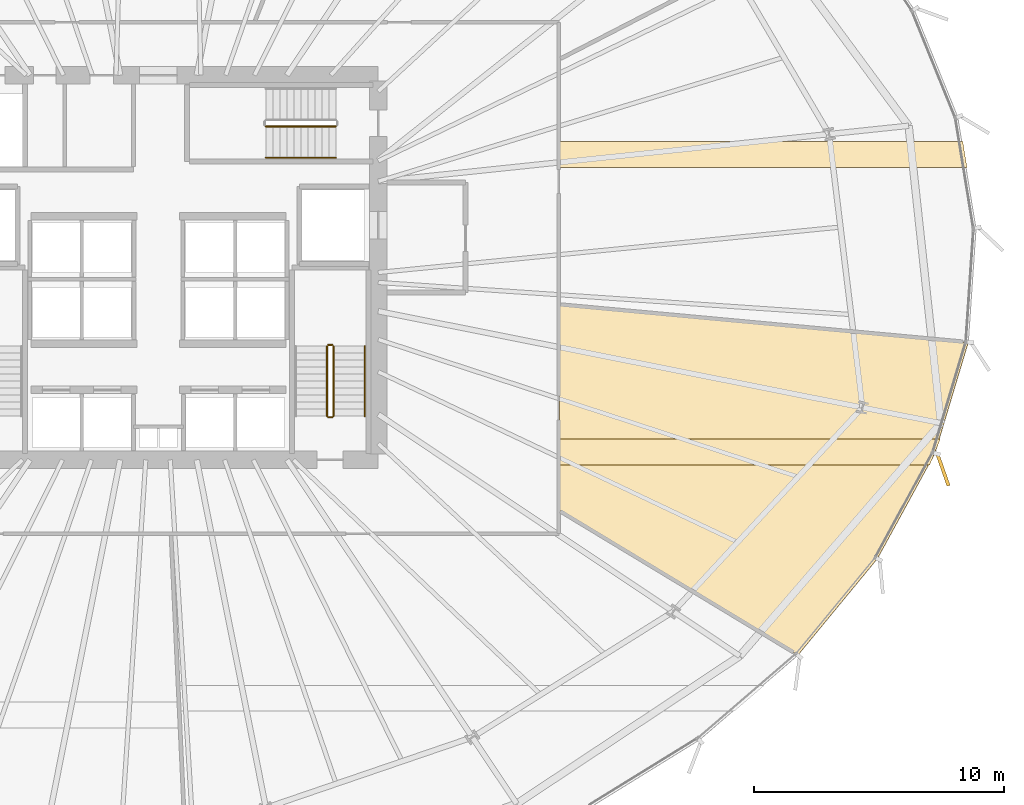
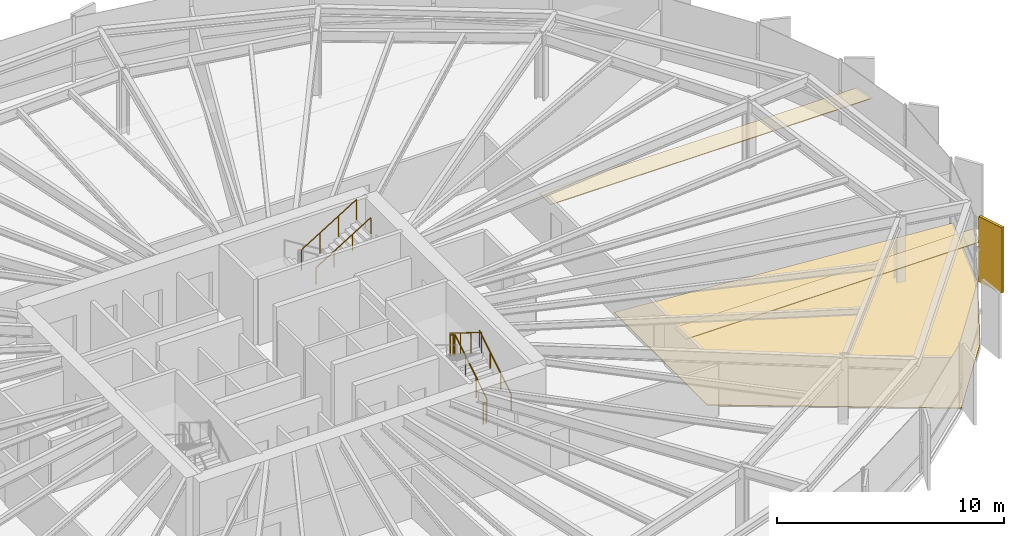
# One storey, part 36 of 39: 7 railings, 4 coverings.
"""IFC4 building model written with IfcOpenShell, lengths in metres."""

from ifc_helpers import new_model, si_unit, direction, frame, origin, origin_2d, place, context, subcontext, project, spatial, polyline, rectangle, circle, outline, extrude, source, transform, mapped, material, layer, layer_set, type_object, element, save


model = new_model("IFC4")

# Units and contexts
model_context = context("Model", 3, precision=1e-05, world=origin(), true_north=direction((0.0, 1.0)))
body_context = subcontext(model_context, "Body", "Model", "MODEL_VIEW")
ifc_project = project(units=[si_unit("LENGTHUNIT", "METRE"), si_unit("AREAUNIT", "SQUARE_METRE"), si_unit("VOLUMEUNIT", "CUBIC_METRE"), si_unit("PLANEANGLEUNIT", "RADIAN"), si_unit("MASSUNIT", "GRAM", prefix="KILO"), si_unit("THERMODYNAMICTEMPERATUREUNIT", "KELVIN")], contexts=[model_context])

# Site, building, storey
site_placement = place(None, origin())
site = spatial("IfcSite", under=ifc_project, at=site_placement, CompositionType="ELEMENT")
building_placement = place(site_placement, origin())
building = spatial("IfcBuilding", under=site, at=building_placement, Name="Kethvar Cultural Tower", CompositionType="ELEMENT")
storey_placement = place(building_placement, frame((0.0, 0.0, 41.0)))
storey = spatial("IfcBuildingStorey", under=building, at=storey_placement, Name="L09", CompositionType="ELEMENT", Elevation=41.0)

# Coverings
ifc_material_1 = material(Name="Acoustic Mineral Fibre Ceiling")
ifc_layer_1 = layer(ifc_material_1, 0.0400390625, Name="Acoustic Mineral Fibre Ceiling")
ifc_layer_set_1 = layer_set([ifc_layer_1], Name="Acoustic Mineral Fibre Ceiling (40 mm)")
covering_type_1 = type_object("IfcCoveringType", Name="CV-ACOUSTIC-CEIL", PredefinedType="CEILING", material=ifc_layer_set_1)
covering_1_placement = place(storey_placement, frame((0.0, 0.0, 2.449951171875)))
element("IfcCovering", 1, at=covering_1_placement, inside=storey, type_object=covering_type_1, Name="L09 Room 03 Acoustic Ceiling Panel", PredefinedType="CEILING", context=body_context, shape_type="SweptSolid", body=[
    extrude(outline(polyline([(78.10546875, 20.92333984375), (77.68408203125, 19.893310546875), (62.81005859375, 19.893310546875), (62.81005859375, 20.92333984375), (78.10546875, 20.92333984375)])), origin(), (0.0, 0.0, 1.0), 0.0400390625),
])
covering_2_placement = place(storey_placement, frame((0.0, 0.0, 2.449951171875)))
element("IfcCovering", 2, at=covering_2_placement, inside=storey, type_object=covering_type_1, Name="L09 Room 04 Acoustic Ceiling Panel", PredefinedType="CEILING", context=body_context, shape_type="SweptSolid", body=[
    extrude(outline(polyline([(79.175048828125, 31.813720703125), (62.81005859375, 31.813720703125), (62.81005859375, 32.84375), (79.006591796875, 32.84375), (79.175048828125, 31.813720703125)])), origin(), (0.0, 0.0, 1.0), 0.0400390625),
])
ifc_material_2 = material(Name="Honed Warm Limestone", Category="masonry")
ifc_layer_2 = layer(ifc_material_2, 0.030029296875, Name="Honed Warm Limestone", Category="masonry")
ifc_layer_set_2 = layer_set([ifc_layer_2], Name="Honed Warm Limestone (30 mm)")
covering_type_2 = type_object("IfcCoveringType", Name="CV-STONE-FLOOR", PredefinedType="FLOORING", material=ifc_layer_set_2)
covering_3_placement = place(storey_placement, origin())
element("IfcCovering", 3, at=covering_3_placement, inside=storey, type_object=covering_type_2, Name="L09 Room 03 Floor Finish", PredefinedType="FLOORING", context=body_context, shape_type="SweptSolid", body=[
    extrude(outline(polyline([(77.895751953125, 20.364501953125), (75.58984375, 16.1435546875), (72.413330078125, 12.287841796875), (62.85009765625, 18.08837890625), (62.85009765625, 26.29931640625), (79.22412109375, 24.78857421875), (77.895751953125, 20.364501953125)])), origin(), (0.0, 0.0, 1.0), 0.030029296875),
])

# Railings
ifc_material_3 = material(Name="Steel S355J2", Category="steel")
railing_type_1 = type_object("IfcRailingType", Name="RL-STAIR-GUARD", PredefinedType="BALUSTRADE", material=ifc_material_3)
railing_1_placement = place(storey_placement, frame((53.81005859375, 21.85009765625, 0.172607421875)))
element("IfcRailing", 4, at=railing_1_placement, inside=storey, type_object=railing_type_1, Name="L09 ST-02 stair guard 1", PredefinedType="BALUSTRADE", context=body_context, shape_type="SweptSolid", body=[
    extrude(circle(Radius=0.02392578125, at=origin_2d()), frame((0.0, 0.0, 1.09619140625), z_axis=(0.0, 0.851069175582, 0.525053576669), x_axis=(-1.0, 0.0, 0.0)), (0.0, 0.0, 1.0), 3.289794921875),
    extrude(circle(Radius=0.02099609375, at=origin_2d()), origin(), (0.0, 0.0, 1.0), 1.072021484375),
    extrude(circle(Radius=0.02099609375, at=origin_2d()), frame((0.0, 0.933349609375, 0.57568359375)), (0.0, 0.0, 1.0), 1.072021484375),
    extrude(circle(Radius=0.02099609375, at=origin_2d()), frame((0.0, 1.866455078125, 1.151611328125)), (0.0, 0.0, 1.0), 1.072021484375),
    extrude(circle(Radius=0.02099609375, at=origin_2d()), frame((0.0, 2.7998046875, 1.727294921875)), (0.0, 0.0, 1.0), 1.072021484375),
])
railing_2_placement = place(storey_placement, frame((53.760009765625, 24.699951171875, 1.89990234375)))
element("IfcRailing", 5, at=railing_2_placement, inside=storey, type_object=railing_type_1, Name="L09 ST-02 stair guard 2", PredefinedType="BALUSTRADE", context=body_context, shape_type="SweptSolid", body=[
    extrude(circle(Radius=0.02392578125, at=origin_2d()), frame((0.0, 0.0, 1.09619140625), z_axis=(-1.0, 0.0, 0.0), x_axis=(0.0, -1.0, 0.0)), (0.0, 0.0, 1.0), 0.159912109375),
    extrude(circle(Radius=0.02099609375, at=origin_2d()), origin(), (0.0, 0.0, 1.0), 1.072021484375),
    extrude(circle(Radius=0.02099609375, at=origin_2d()), frame((-0.159912109375, 0.0, 0.0)), (0.0, 0.0, 1.0), 1.072021484375),
])
railing_3_placement = place(storey_placement, frame((53.550048828125, 24.64990234375, 2.07275390625)))
element("IfcRailing", 6, at=railing_3_placement, inside=storey, type_object=railing_type_1, Name="L09 ST-02 stair guard 3", PredefinedType="BALUSTRADE", context=body_context, shape_type="SweptSolid", body=[
    extrude(circle(Radius=0.02392578125, at=origin_2d()), frame((0.0, 0.0, 1.09619140625), z_axis=(0.0, -0.851069175582, 0.525053576669), x_axis=(1.0, 0.0, 0.0)), (0.0, 0.0, 1.0), 3.289794921875),
    extrude(circle(Radius=0.02099609375, at=origin_2d()), origin(), (0.0, 0.0, 1.0), 1.072021484375),
    extrude(circle(Radius=0.02099609375, at=origin_2d()), frame((0.0, -0.933349609375, 0.57568359375)), (0.0, 0.0, 1.0), 1.072021484375),
    extrude(circle(Radius=0.02099609375, at=origin_2d()), frame((0.0, -1.866455078125, 1.151611328125)), (0.0, 0.0, 1.0), 1.072021484375),
    extrude(circle(Radius=0.02099609375, at=origin_2d()), frame((0.0, -2.7998046875, 1.727294921875)), (0.0, 0.0, 1.0), 1.072021484375),
])
railing_4_placement = place(storey_placement, frame((53.760009765625, 21.800048828125, 0.0)))
element("IfcRailing", 7, at=railing_4_placement, inside=storey, type_object=railing_type_1, Name="L09 ST-02 stair guard 4", PredefinedType="BALUSTRADE", context=body_context, shape_type="SweptSolid", body=[
    extrude(circle(Radius=0.02392578125, at=origin_2d()), frame((0.0, 0.0, 1.09619140625), z_axis=(-1.0, 0.0, 0.0), x_axis=(0.0, -1.0, 0.0)), (0.0, 0.0, 1.0), 0.159912109375),
    extrude(circle(Radius=0.02099609375, at=origin_2d()), origin(), (0.0, 0.0, 1.0), 1.072021484375),
    extrude(circle(Radius=0.02099609375, at=origin_2d()), frame((-0.159912109375, 0.0, 0.0)), (0.0, 0.0, 1.0), 1.072021484375),
])
railing_5_placement = place(storey_placement, frame((51.10009765625, 33.449951171875, 2.07275390625)))
element("IfcRailing", 8, at=railing_5_placement, inside=storey, type_object=railing_type_1, Name="L09 ST-03 stair guard 3", PredefinedType="BALUSTRADE", context=body_context, shape_type="SweptSolid", body=[
    extrude(circle(Radius=0.02392578125, at=origin_2d()), frame((0.0, 0.0, 1.09619140625), z_axis=(0.851069175582, 0.0, 0.525053576669), x_axis=(0.0, 1.0, 0.0)), (0.0, 0.0, 1.0), 3.289794921875),
    extrude(circle(Radius=0.02099609375, at=origin_2d()), origin(), (0.0, 0.0, 1.0), 1.072021484375),
    extrude(circle(Radius=0.02099609375, at=origin_2d()), frame((0.933349609375, 0.0, 0.57568359375)), (0.0, 0.0, 1.0), 1.072021484375),
    extrude(circle(Radius=0.02099609375, at=origin_2d()), frame((1.866455078125, 0.0, 1.151611328125)), (0.0, 0.0, 1.0), 1.072021484375),
    extrude(circle(Radius=0.02099609375, at=origin_2d()), frame((2.7998046875, 0.0, 1.727294921875)), (0.0, 0.0, 1.0), 1.072021484375),
])
railing_type_2 = type_object("IfcRailingType", Name="RL-STAIR-HANDRAIL", PredefinedType="HANDRAIL", material=ifc_material_3)
railing_6_placement = place(storey_placement, frame((55.06005859375, 21.85009765625, 0.172607421875)))
element("IfcRailing", 9, at=railing_6_placement, inside=storey, type_object=railing_type_2, Name="L09 ST-02 stair handrail 1", PredefinedType="HANDRAIL", context=body_context, shape_type="SweptSolid", body=[
    extrude(circle(Radius=0.02392578125, at=origin_2d()), frame((0.0, 0.0, 0.8759765625), z_axis=(0.0, 0.851069175582, 0.525053576669), x_axis=(-1.0, 0.0, 0.0)), (0.0, 0.0, 1.0), 3.289794921875),
    extrude(circle(Radius=0.02099609375, at=origin_2d()), origin(), (0.0, 0.0, 1.0), 0.851806640625),
    extrude(circle(Radius=0.02099609375, at=origin_2d()), frame((0.0, 0.933349609375, 0.57568359375)), (0.0, 0.0, 1.0), 0.851806640625),
    extrude(circle(Radius=0.02099609375, at=origin_2d()), frame((0.0, 1.866455078125, 1.151611328125)), (0.0, 0.0, 1.0), 0.851806640625),
    extrude(circle(Radius=0.02099609375, at=origin_2d()), frame((0.0, 2.7998046875, 1.727294921875)), (0.0, 0.0, 1.0), 0.851806640625),
])
railing_7_placement = place(storey_placement, frame((51.10009765625, 32.199951171875, 2.07275390625)))
element("IfcRailing", 10, at=railing_7_placement, inside=storey, type_object=railing_type_2, Name="L09 ST-03 stair handrail 2", PredefinedType="HANDRAIL", context=body_context, shape_type="SweptSolid", body=[
    extrude(circle(Radius=0.02392578125, at=origin_2d()), frame((0.0, 0.0, 0.8759765625), z_axis=(0.851069175582, 0.0, 0.525053576669), x_axis=(0.0, 1.0, 0.0)), (0.0, 0.0, 1.0), 3.289794921875),
    extrude(circle(Radius=0.02099609375, at=origin_2d()), origin(), (0.0, 0.0, 1.0), 0.851806640625),
    extrude(circle(Radius=0.02099609375, at=origin_2d()), frame((0.933349609375, 0.0, 0.57568359375)), (0.0, 0.0, 1.0), 0.851806640625),
    extrude(circle(Radius=0.02099609375, at=origin_2d()), frame((1.866455078125, 0.0, 1.151611328125)), (0.0, 0.0, 1.0), 0.851806640625),
    extrude(circle(Radius=0.02099609375, at=origin_2d()), frame((2.7998046875, 0.0, 1.727294921875)), (0.0, 0.0, 1.0), 0.851806640625),
])

# Covering
ifc_material_4 = material(Name="Extruded Architectural Terracotta", Category="masonry")
ifc_layer_3 = layer(ifc_material_4, 0.135009765625, Name="Extruded Architectural Terracotta", Category="masonry")
ifc_layer_set_3 = layer_set([ifc_layer_3], Name="Extruded Architectural Terracotta (135 mm)")
covering_type_3 = type_object("IfcCoveringType", Name="Terracotta Facade Fin FIN-01", PredefinedType="CLADDING", material=ifc_layer_set_3)
shared_shape = source(origin(), body_context, "Body", "SweptSolid", [
    extrude(rectangle(XDim=1.35009765625, YDim=0.135009765625, at=origin_2d()), origin(), (0.0, 0.0, 1.0), 3.510009765625),
])
covering_4_placement = place(storey_placement, frame((78.214599609375, 19.697021484375, 0.02001953125), z_axis=(0.0, 0.0, 1.0), x_axis=(0.331173209479, -0.943569979028, 0.0)))
element("IfcCovering", 11, at=covering_4_placement, inside=storey, type_object=covering_type_3, Name="L09 Vertical Terracotta Fin 6.5", PredefinedType="CLADDING", context=body_context, shape_type="MappedRepresentation", body=[
    mapped(shared_shape, transform((0.0, 0.0, 0.0), scale=1.0)),
])

save(model, "model.ifc")
